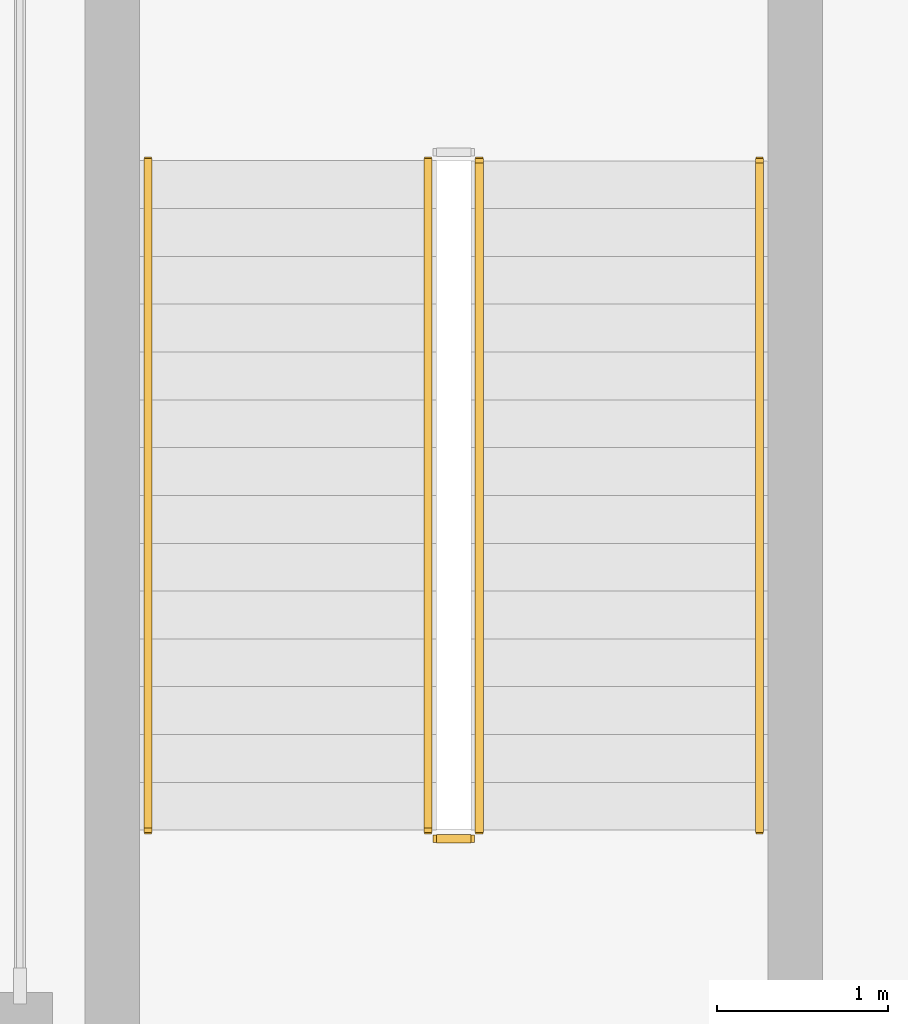
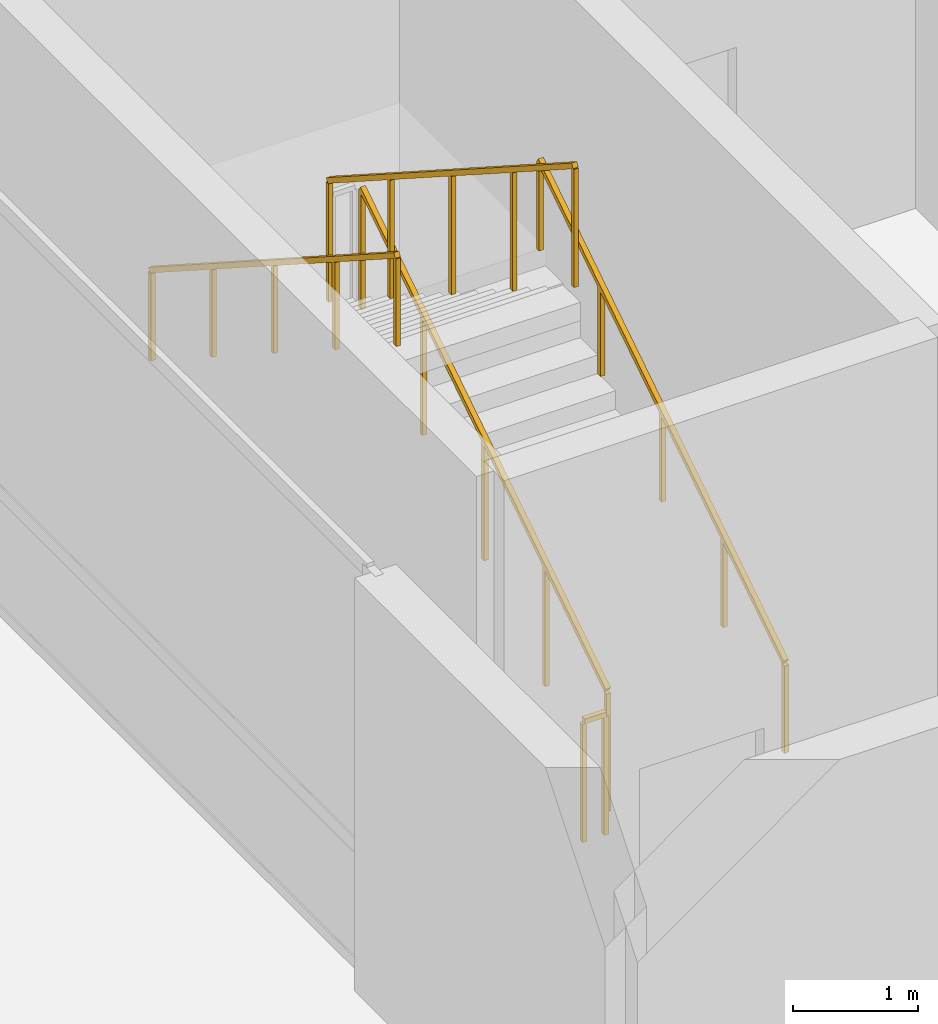
# One storey, part 15 of 19: 5 railings.
"""IFC4 building model written with IfcOpenShell, lengths in metres."""

from ifc_helpers import new_model, si_unit, direction, frame, origin, origin_2d, place, context, subcontext, project, spatial, rectangle, extrude, material, type_object, element, save


model = new_model("IFC4")

# Units and contexts
model_context = context("Model", 3, precision=1e-05, world=origin(), true_north=direction((0.0, 1.0)))
body_context = subcontext(model_context, "Body", "Model", "MODEL_VIEW")
ifc_project = project(units=[si_unit("LENGTHUNIT", "METRE"), si_unit("AREAUNIT", "SQUARE_METRE"), si_unit("VOLUMEUNIT", "CUBIC_METRE"), si_unit("PLANEANGLEUNIT", "RADIAN"), si_unit("MASSUNIT", "GRAM", prefix="KILO")], contexts=[model_context])

# Site, building, storey
site_placement = place(None, origin())
site = spatial("IfcSite", under=ifc_project, at=site_placement, CompositionType="ELEMENT")
building_placement = place(site_placement, origin())
building = spatial("IfcBuilding", under=site, at=building_placement, Name="Talyreon Biosciences Tower", CompositionType="ELEMENT")
storey_placement = place(building_placement, origin())
storey = spatial("IfcBuildingStorey", under=building, at=storey_placement, Name="L00", CompositionType="ELEMENT", Elevation=0.0)

# Railings
ifc_material_1 = material(Name="Brushed stainless-steel tubular handrail", Category="steel")
railing_type_1 = type_object("IfcRailingType", Name="StairWallHandrail_900", PredefinedType="HANDRAIL", material=ifc_material_1)
railing_1_placement = place(storey_placement, frame((52.830078125, 48.949951171875, 0.179931640625)))
element("IfcRailing", 1, at=railing_1_placement, inside=storey, type_object=railing_type_1, Name="L00 ST-3 stair handrail 1", PredefinedType="HANDRAIL", context=body_context, shape_type="SweptSolid", body=[
    extrude(rectangle(XDim=0.048095703125, YDim=0.048095703125, at=origin_2d()), frame((0.0, 0.0, 0.8759765625), z_axis=(0.0, 0.841186985886, 0.540744352514), x_axis=(-1.0, 0.0, 0.0)), (0.0, 0.0, 1.0), 4.660400390625),
    extrude(rectangle(XDim=0.0419921875, YDim=0.0419921875, at=origin_2d()), origin(), (0.0, 0.0, 1.0), 0.851806640625),
    extrude(rectangle(XDim=0.0419921875, YDim=0.0419921875, at=origin_2d()), frame((0.0, 0.97998046875, 0.6298828125)), (0.0, 0.0, 1.0), 0.851806640625),
    extrude(rectangle(XDim=0.0419921875, YDim=0.0419921875, at=origin_2d()), frame((0.0, 1.9599609375, 1.260009765625)), (0.0, 0.0, 1.0), 0.851806640625),
    extrude(rectangle(XDim=0.0419921875, YDim=0.0419921875, at=origin_2d()), frame((0.0, 2.940185546875, 1.89013671875)), (0.0, 0.0, 1.0), 0.851806640625),
    extrude(rectangle(XDim=0.0419921875, YDim=0.0419921875, at=origin_2d()), frame((0.0, 3.920166015625, 2.52001953125)), (0.0, 0.0, 1.0), 0.851806640625),
])
railing_2_placement = place(storey_placement, frame((49.25, 52.8701171875, 2.8798828125)))
element("IfcRailing", 2, at=railing_2_placement, inside=storey, type_object=railing_type_1, Name="L00 ST-3 stair handrail 2", PredefinedType="HANDRAIL", context=body_context, shape_type="SweptSolid", body=[
    extrude(rectangle(XDim=0.048095703125, YDim=0.048095703125, at=origin_2d()), frame((0.0, 0.0, 0.8759765625), z_axis=(0.0, -0.841186985886, 0.540744352514), x_axis=(1.0, 0.0, 0.0)), (0.0, 0.0, 1.0), 4.660400390625),
    extrude(rectangle(XDim=0.0419921875, YDim=0.0419921875, at=origin_2d()), origin(), (0.0, 0.0, 1.0), 0.851806640625),
    extrude(rectangle(XDim=0.0419921875, YDim=0.0419921875, at=origin_2d()), frame((0.0, -0.97998046875, 0.6298828125)), (0.0, 0.0, 1.0), 0.851806640625),
    extrude(rectangle(XDim=0.0419921875, YDim=0.0419921875, at=origin_2d()), frame((0.0, -1.9599609375, 1.260009765625)), (0.0, 0.0, 1.0), 0.851806640625),
    extrude(rectangle(XDim=0.0419921875, YDim=0.0419921875, at=origin_2d()), frame((0.0, -2.940185546875, 1.89013671875)), (0.0, 0.0, 1.0), 0.851806640625),
    extrude(rectangle(XDim=0.0419921875, YDim=0.0419921875, at=origin_2d()), frame((0.0, -3.920166015625, 2.52001953125)), (0.0, 0.0, 1.0), 0.851806640625),
])
ifc_material_2 = material(Name="Painted galvanised steel post-and-rail balustrade", Category="steel")
railing_type_2 = type_object("IfcRailingType", Name="TerraceStairGuard_1200", PredefinedType="GUARDRAIL", material=ifc_material_2)
railing_3_placement = place(storey_placement, frame((51.18994140625, 48.949951171875, 0.179931640625)))
element("IfcRailing", 3, at=railing_3_placement, inside=storey, type_object=railing_type_2, Name="L00 ST-3 stair guard 1", PredefinedType="GUARDRAIL", context=body_context, shape_type="SweptSolid", body=[
    extrude(rectangle(XDim=0.048095703125, YDim=0.048095703125, at=origin_2d()), frame((0.0, 0.0, 1.17578125), z_axis=(0.0, 0.841186985886, 0.540744352514), x_axis=(-1.0, 0.0, 0.0)), (0.0, 0.0, 1.0), 4.660400390625),
    extrude(rectangle(XDim=0.0419921875, YDim=0.0419921875, at=origin_2d()), origin(), (0.0, 0.0, 1.0), 1.15185546875),
    extrude(rectangle(XDim=0.0419921875, YDim=0.0419921875, at=origin_2d()), frame((0.0, 0.97998046875, 0.6298828125)), (0.0, 0.0, 1.0), 1.15185546875),
    extrude(rectangle(XDim=0.0419921875, YDim=0.0419921875, at=origin_2d()), frame((0.0, 1.9599609375, 1.260009765625)), (0.0, 0.0, 1.0), 1.15185546875),
    extrude(rectangle(XDim=0.0419921875, YDim=0.0419921875, at=origin_2d()), frame((0.0, 2.940185546875, 1.89013671875)), (0.0, 0.0, 1.0), 1.15185546875),
    extrude(rectangle(XDim=0.0419921875, YDim=0.0419921875, at=origin_2d()), frame((0.0, 3.920166015625, 2.52001953125)), (0.0, 0.0, 1.0), 1.15185546875),
])
railing_4_placement = place(storey_placement, frame((50.889892578125, 52.8701171875, 2.8798828125)))
element("IfcRailing", 4, at=railing_4_placement, inside=storey, type_object=railing_type_2, Name="L00 ST-3 stair guard 3", PredefinedType="GUARDRAIL", context=body_context, shape_type="SweptSolid", body=[
    extrude(rectangle(XDim=0.048095703125, YDim=0.048095703125, at=origin_2d()), frame((0.0, 0.0, 1.17578125), z_axis=(0.0, -0.841186985886, 0.540744352514), x_axis=(1.0, 0.0, 0.0)), (0.0, 0.0, 1.0), 4.660400390625),
    extrude(rectangle(XDim=0.0419921875, YDim=0.0419921875, at=origin_2d()), origin(), (0.0, 0.0, 1.0), 1.15185546875),
    extrude(rectangle(XDim=0.0419921875, YDim=0.0419921875, at=origin_2d()), frame((0.0, -0.97998046875, 0.6298828125)), (0.0, 0.0, 1.0), 1.15185546875),
    extrude(rectangle(XDim=0.0419921875, YDim=0.0419921875, at=origin_2d()), frame((0.0, -1.9599609375, 1.260009765625)), (0.0, 0.0, 1.0), 1.15185546875),
    extrude(rectangle(XDim=0.0419921875, YDim=0.0419921875, at=origin_2d()), frame((0.0, -2.940185546875, 1.89013671875)), (0.0, 0.0, 1.0), 1.15185546875),
    extrude(rectangle(XDim=0.0419921875, YDim=0.0419921875, at=origin_2d()), frame((0.0, -3.920166015625, 2.52001953125)), (0.0, 0.0, 1.0), 1.15185546875),
])
railing_5_placement = place(storey_placement, frame((51.139892578125, 48.89990234375, 0.0)))
element("IfcRailing", 5, at=railing_5_placement, inside=storey, type_object=railing_type_2, Name="L00 ST-3 stair guard 4", PredefinedType="GUARDRAIL", context=body_context, shape_type="SweptSolid", body=[
    extrude(rectangle(XDim=0.048095703125, YDim=0.048095703125, at=origin_2d()), frame((0.0, 0.0, 1.17578125), z_axis=(-1.0, 0.0, 0.0), x_axis=(0.0, -1.0, 0.0)), (0.0, 0.0, 1.0), 0.199951171875),
    extrude(rectangle(XDim=0.0419921875, YDim=0.0419921875, at=origin_2d()), origin(), (0.0, 0.0, 1.0), 1.15185546875),
    extrude(rectangle(XDim=0.0419921875, YDim=0.0419921875, at=origin_2d()), frame((-0.199951171875, 0.0, 0.0)), (0.0, 0.0, 1.0), 1.15185546875),
])

save(model, "model.ifc")
